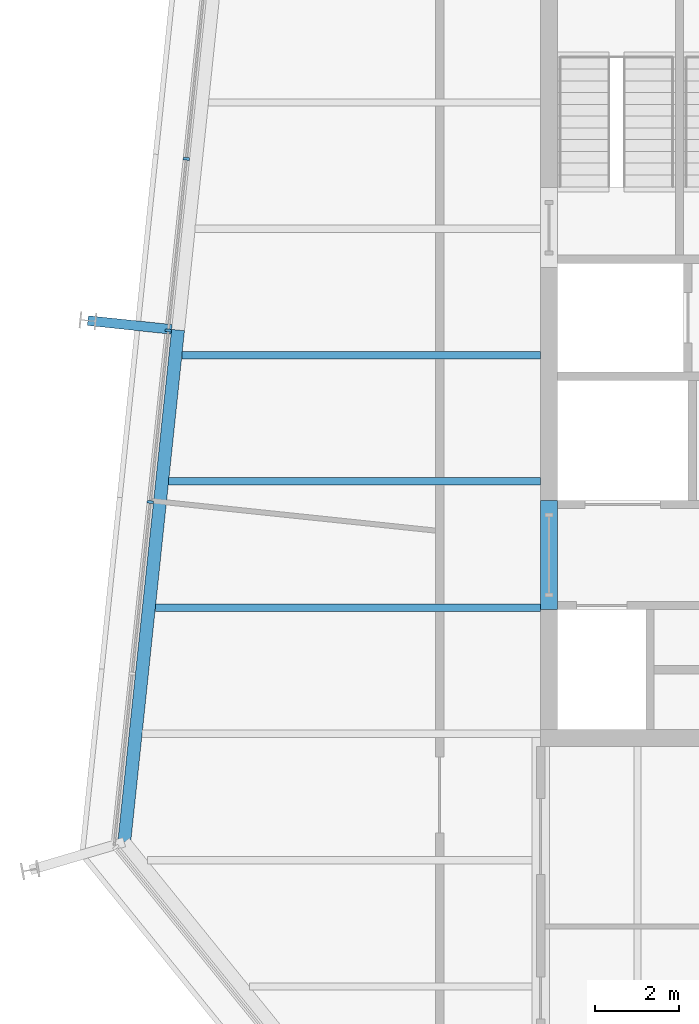
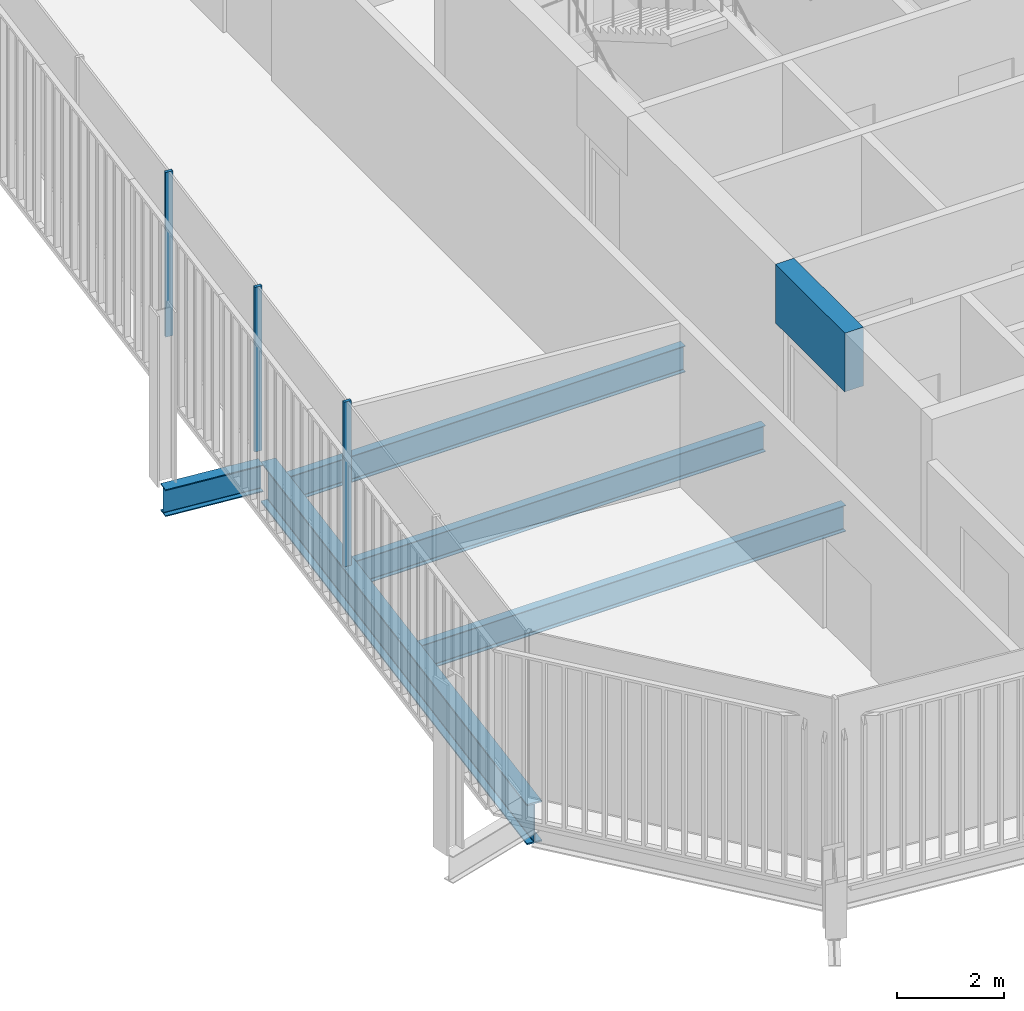
# One storey, part 6 of 20: 6 beams, 3 members, 1 element without a shape of its own.
"""IFC4 building model written with IfcOpenShell, lengths in metres."""

import ifcopenshell
import ifcopenshell.guid

model = None  # the IFC model being written
_history = None  # IfcOwnerHistory: only IFC2X3 demands one
_inside = {}  # id of a spatial element -> (the spatial element, [elements in it])
_under = {}  # id of a project, library or spatial element -> (it, [spatial elements below it])
_declared = {}  # id of a project -> (the project, [libraries it declares])
_typed = {}  # id of a type object -> (the type object, [elements of that type])
_made_of = {}  # id of a material, layer set ... -> (it, [elements and type objects made of it])


def new_model(schema):
    """Start an empty IFC model of exactly this schema.

    Asked for "IFC4X3", IfcOpenShell would pick the latest addendum, in which some entities
    have other attributes; the version numbers below select the first issue.
    IFC2X3 requires an IfcOwnerHistory on every rooted entity: one is made here for all.
    """
    global model, _history
    if schema == "IFC4X3":
        model = ifcopenshell.file(schema_version=(4, 3, 0, 0))
    else:
        model = ifcopenshell.file(schema=schema)
    _inside.clear()
    _under.clear()
    _declared.clear()
    _typed.clear()
    _made_of.clear()
    _history = None
    if model.schema == "IFC2X3":
        org = make("IfcOrganization", Name="unknown")
        user = make(
            "IfcPersonAndOrganization",
            ThePerson=make("IfcPerson", FamilyName="unknown"),
            TheOrganization=org,
        )
        app = make(
            "IfcApplication",
            ApplicationDeveloper=org,
            Version="unknown",
            ApplicationFullName="unknown",
            ApplicationIdentifier="unknown",
        )
        _history = make(
            "IfcOwnerHistory",
            OwningUser=user,
            OwningApplication=app,
            ChangeAction="ADDED",
            CreationDate=0,
        )
    return model


def make(cls, **values):
    """One entity of the class cls with the attributes given. An attribute that is None is left unset."""
    return model.create_entity(
        cls, **{name: value for name, value in values.items() if value is not None}
    )


def rooted(cls, **values):
    """An entity with a GlobalId (a new one), such as an element, a storey or a relation."""
    return make(cls, GlobalId=ifcopenshell.guid.new(), OwnerHistory=_history, **values)


def si_unit(unit_type, name, prefix=None):
    """IfcSIUnit, for example si_unit("LENGTHUNIT", "METRE", prefix="MILLI")."""
    return make("IfcSIUnit", UnitType=unit_type, Prefix=prefix, Name=name)


def assignment(units):
    """IfcUnitAssignment: the units of a project."""
    return None if units is None else make("IfcUnitAssignment", Units=units)


def point(xyz):
    """IfcCartesianPoint."""
    return None if xyz is None else make("IfcCartesianPoint", Coordinates=xyz)


def direction(xyz):
    """IfcDirection."""
    return None if xyz is None else make("IfcDirection", DirectionRatios=xyz)


def frame(location, z_axis=None, x_axis=None):
    """IfcAxis2Placement3D, a coordinate frame: its origin and axes. An axis left out is left unset."""
    return make(
        "IfcAxis2Placement3D",
        Location=point(location),
        Axis=direction(z_axis),
        RefDirection=direction(x_axis),
    )


def frame_2d(location, x_axis=None):
    """IfcAxis2Placement2D, a coordinate frame in the plane: its origin and x axis."""
    return make(
        "IfcAxis2Placement2D", Location=point(location), RefDirection=direction(x_axis)
    )


def origin():
    """The frame at (0, 0, 0) with its axes left unset."""
    return frame((0.0, 0.0, 0.0))


def origin_2d():
    """The frame at (0, 0) in the plane with its x axis left unset."""
    return frame_2d((0.0, 0.0))


def place(relative_to, where):
    """IfcLocalPlacement: puts the frame where relative to a parent placement (None: the world)."""
    return make(
        "IfcLocalPlacement", PlacementRelTo=relative_to, RelativePlacement=where
    )


def context(
    kind, dimensions, precision=None, world=None, true_north=None, identifier=None
):
    """IfcGeometricRepresentationContext, for example the 3D "Model" context."""
    return make(
        "IfcGeometricRepresentationContext",
        ContextIdentifier=identifier,
        ContextType=kind,
        CoordinateSpaceDimension=dimensions,
        Precision=precision,
        WorldCoordinateSystem=world,
        TrueNorth=true_north,
    )


def subcontext(parent, identifier, kind, view, scale=None):
    """IfcGeometricRepresentationSubContext, for example "Body" below "Model"."""
    return make(
        "IfcGeometricRepresentationSubContext",
        ContextIdentifier=identifier,
        ContextType=kind,
        ParentContext=parent,
        TargetScale=scale,
        TargetView=view,
    )


def project(units=None, contexts=None):
    """IfcProject with its units and contexts."""
    return rooted(
        "IfcProject",
        Name="project",
        RepresentationContexts=contexts,
        UnitsInContext=assignment(units),
    )


def spatial(cls, under=None, at=None, **own):
    """A site, building, storey or space (cls), placed at a placement, below another one or the project."""
    s = rooted(cls, ObjectPlacement=at, **own)
    if under is not None:
        _under.setdefault(under.id(), (under, []))[1].append(s)
    return s


def profile(cls, at=None, kind="AREA", **sizes):
    """A parametric profile (cls). Its sizes go by their IFC names, for example OverallWidth=200.0."""
    return make(cls, ProfileType=kind, Position=at, **sizes)


def rectangle(**sizes):
    """IfcRectangleProfileDef."""
    return profile("IfcRectangleProfileDef", **sizes)


def i_section(**sizes):
    """IfcIShapeProfileDef."""
    return profile("IfcIShapeProfileDef", **sizes)


def extrude(swept, where, along, depth):
    """IfcExtrudedAreaSolid: the profile swept, set in the frame where, extruded along a direction by depth."""
    return make(
        "IfcExtrudedAreaSolid",
        SweptArea=swept,
        Position=where,
        ExtrudedDirection=direction(along),
        Depth=depth,
    )


def shape(context_of_items, identifier, shape_type, items):
    """IfcShapeRepresentation: the items that make up one representation, for example the "Body"."""
    return make(
        "IfcShapeRepresentation",
        ContextOfItems=context_of_items,
        RepresentationIdentifier=identifier,
        RepresentationType=shape_type,
        Items=items,
    )


def material(Name=None, Category=None):
    """IfcMaterial."""
    return make("IfcMaterial", Name=Name, Category=Category)


def layer(
    of_material, thickness, ventilated=None, Name=None, Category=None, Priority=None
):
    """IfcMaterialLayer: one layer of a wall or slab, of a material (None: an air gap)."""
    return make(
        "IfcMaterialLayer",
        Material=of_material,
        LayerThickness=thickness,
        IsVentilated=ventilated,
        Name=Name,
        Category=Category,
        Priority=Priority,
    )


def layer_set(layers, Name=None):
    """IfcMaterialLayerSet."""
    return make("IfcMaterialLayerSet", MaterialLayers=layers, LayerSetName=Name)


def material_profile(
    of_material, cross_section, Name=None, Category=None, Priority=None
):
    """IfcMaterialProfile: a cross section and its material."""
    return make(
        "IfcMaterialProfile",
        Name=Name,
        Material=of_material,
        Profile=cross_section,
        Priority=Priority,
        Category=Category,
    )


def profile_set(profiles, Name=None, composite=None):
    """IfcMaterialProfileSet."""
    return make(
        "IfcMaterialProfileSet",
        Name=Name,
        MaterialProfiles=profiles,
        CompositeProfile=composite,
    )


def made_of(thing, what):
    """Note that an element or type object is made of a material, layer set ...; save() writes the relation."""
    if what is not None:
        _made_of.setdefault(what.id(), (what, []))[1].append(thing)
    return thing


def type_object(cls, material=None, **own):
    """A type object (cls), such as IfcWallType, which elements share."""
    return made_of(rooted(cls, **own), material)


def element(
    cls,
    number,
    at=None,
    inside=None,
    cuts=None,
    type_object=None,
    material=None,
    context=None,
    identifier="Body",
    shape_type=None,
    held_by="IfcProductDefinitionShape",
    body=None,
    shapes=None,
    **own,
):
    """One element of the class cls, such as IfcWall. Its Tag is "e" and its number.

    at: its placement. inside: the storey or other place that contains it. cuts: it is an
    opening in that element (IfcRelVoidsElement). A single representation is given by context,
    identifier, shape_type and body (its items); several are given by shapes. held_by: the class
    of the entity that holds the representations. save() writes the other relations.
    """
    e = rooted(cls, Tag="e%d" % number, ObjectPlacement=at, **own)
    if body is not None:
        shapes = [shape(context, identifier, shape_type, body)]
    if shapes is not None:
        e.Representation = make(held_by, Representations=shapes)
    if inside is not None:
        _inside.setdefault(inside.id(), (inside, []))[1].append(e)
    if cuts is not None:
        rooted(
            "IfcRelVoidsElement", RelatingBuildingElement=cuts, RelatedOpeningElement=e
        )
    if type_object is not None:
        _typed.setdefault(type_object.id(), (type_object, []))[1].append(e)
    return made_of(e, material)


def aggregate(whole, parts):
    """IfcRelAggregates: a whole, such as a stair, and the parts it consists of."""
    return rooted("IfcRelAggregates", RelatingObject=whole, RelatedObjects=parts)


def save(model, path):
    """Write the relations noted so far, then the file.

    IfcRelAggregates (storeys below a building ...), IfcRelContainedInSpatialStructure (elements
    in a storey), IfcRelDefinesByType, IfcRelAssociatesMaterial and IfcRelDeclares: one each for
    every whole, place, type object, material and project.
    """
    for whole, parts in _under.values():
        aggregate(whole, parts)
    for where, things in _inside.values():
        rooted(
            "IfcRelContainedInSpatialStructure",
            RelatedElements=things,
            RelatingStructure=where,
        )
    for kind, things in _typed.values():
        rooted("IfcRelDefinesByType", RelatedObjects=things, RelatingType=kind)
    for what, things in _made_of.values():
        rooted("IfcRelAssociatesMaterial", RelatedObjects=things, RelatingMaterial=what)
    for by, libraries in _declared.values():
        rooted("IfcRelDeclares", RelatingContext=by, RelatedDefinitions=libraries)
    model.write(path)


model = new_model("IFC4")

# Units and contexts
model_context = context("Model", 3, precision=1e-05, world=origin(), true_north=direction((0.0, 1.0)))
body_context = subcontext(model_context, "Body", "Model", "MODEL_VIEW")
ifc_project = project(units=[si_unit("LENGTHUNIT", "METRE"), si_unit("AREAUNIT", "SQUARE_METRE"), si_unit("VOLUMEUNIT", "CUBIC_METRE"), si_unit("PLANEANGLEUNIT", "RADIAN"), si_unit("MASSUNIT", "GRAM", prefix="KILO")], contexts=[model_context])

# Site, building, storey
site_placement = place(None, origin())
site = spatial("IfcSite", under=ifc_project, at=site_placement, CompositionType="ELEMENT")
building_placement = place(site_placement, origin())
building = spatial("IfcBuilding", under=site, at=building_placement, Name="Millrace Tower", CompositionType="ELEMENT")
storey_placement = place(building_placement, frame((0.0, 0.0, 303.300048828125)))
storey = spatial("IfcBuildingStorey", under=building, at=storey_placement, Name="L70", CompositionType="ELEMENT", Elevation=303.300048828125)

# Curtain wall, members
ifc_material_1 = material(Name="Aluminium and glass", Category="aluminium")
ifc_layer = layer(ifc_material_1, 0.14990234375)
ifc_layer_set = layer_set([ifc_layer], Name="Aluminium and glass")
curtain_wall_type = type_object("IfcCurtainWallType", Name="CW-1 office vision curtain wall", PredefinedType="NOTDEFINED", material=ifc_layer_set)
curtain_wall_placement = place(storey_placement, origin())
curtain_wall = element("IfcCurtainWall", 1, at=curtain_wall_placement, inside=storey, type_object=curtain_wall_type, Name="Curtain wall E-F08 L70", PredefinedType="NOTDEFINED")
ifc_material_2 = material(Name="Aluminium", Category="aluminium")
ifc_material_profile_1 = material_profile(ifc_material_2, rectangle(XDim=0.06494140625, YDim=0.14990234375, at=origin_2d()))
ifc_profile_set_1 = profile_set([ifc_material_profile_1], Name="Aluminium")
member_type = type_object("IfcMemberType", Name="CW-1 office vision curtain wall mullion", PredefinedType="MULLION", material=ifc_profile_set_1)
member_1_placement = place(storey_placement, frame((-22.717529296875, 4.664794921875, 0.139892578125), z_axis=(0.0, 0.0, 1.0), x_axis=(-0.104528455196, -0.994521896217, 0.0)))
member_1 = element("IfcMember", 2, at=member_1_placement, type_object=member_type, Name="CW1 mullion E-F08.6", PredefinedType="MULLION", context=body_context, shape_type="SweptSolid", body=[
    extrude(rectangle(XDim=0.06494140625, YDim=0.14990234375, at=origin_2d()), origin(), (0.0, 0.0, 1.0), 3.760009765625),
])
member_2_placement = place(storey_placement, frame((-23.146240234375, 0.587158203125, 0.139892578125), z_axis=(0.0, 0.0, 1.0), x_axis=(-0.104528455196, -0.994521896217, 0.0)))
member_2 = element("IfcMember", 3, at=member_2_placement, type_object=member_type, Name="CW1 mullion E-F08.7", PredefinedType="MULLION", context=body_context, shape_type="SweptSolid", body=[
    extrude(rectangle(XDim=0.06494140625, YDim=0.14990234375, at=origin_2d()), origin(), (0.0, 0.0, 1.0), 3.760009765625),
])
member_3_placement = place(storey_placement, frame((-23.57470703125, -3.490234375, 0.139892578125), z_axis=(0.0, 0.0, 1.0), x_axis=(-0.104528455196, -0.994521896217, 0.0)))
member_3 = element("IfcMember", 4, at=member_3_placement, type_object=member_type, Name="CW1 mullion E-F08.8", PredefinedType="MULLION", context=body_context, shape_type="SweptSolid", body=[
    extrude(rectangle(XDim=0.06494140625, YDim=0.14990234375, at=origin_2d()), origin(), (0.0, 0.0, 1.0), 3.760009765625),
])
aggregate(curtain_wall, [member_1, member_2, member_3])

# Beams
ifc_material_3 = material(Name="Concrete C60", Category="concrete")
ifc_material_profile_2 = material_profile(ifc_material_3, rectangle(XDim=0.39990234375, YDim=1.340087890625, at=origin_2d()))
ifc_profile_set_2 = profile_set([ifc_material_profile_2], Name="Concrete C60")
beam_type_1 = type_object("IfcBeamType", Name="Coupling beam 400 x 1340 Concrete C60, 2000 opening", PredefinedType="BEAM", material=ifc_profile_set_2)
beam_1_placement = place(storey_placement, frame((-14.10009765625, -6.050048828125, 3.070068359375), z_axis=(0.0, 1.0, 0.0), x_axis=(-1.0, 0.0, 0.0)))
element("IfcBeam", 5, at=beam_1_placement, inside=storey, type_object=beam_type_1, Name="Coupling beam W L70", PredefinedType="BEAM", context=body_context, shape_type="SweptSolid", body=[
    extrude(rectangle(XDim=0.39990234375, YDim=1.340087890625, at=origin_2d()), origin(), (0.0, 0.0, 1.0), 2.60009765625),
])
ifc_material_4 = material(Name="Steel ASTM A992 Grade 50", Category="steel")
ifc_material_profile_3 = material_profile(ifc_material_4, i_section(OverallWidth=0.177978515625, OverallDepth=0.599365234375, WebThickness=0.010009765625, FlangeThickness=0.012939453125, FilletRadius=0.012939453125, at=origin_2d()))
ifc_profile_set_3 = profile_set([ifc_material_profile_3], Name="Steel ASTM A992 Grade 50")
beam_type_2 = type_object("IfcBeamType", Name="Floor beam W24x55", PredefinedType="JOIST", material=ifc_profile_set_3)
beam_2_placement = place(storey_placement, frame((-23.4541015625, -6.0, -0.459716796875), z_axis=(1.0, 0.0, 0.0), x_axis=(0.0, 1.0, 0.0)))
element("IfcBeam", 6, at=beam_2_placement, inside=storey, type_object=beam_type_2, Name="BM-E-L70-S1-S009", PredefinedType="JOIST", context=body_context, shape_type="SweptSolid", body=[
    extrude(i_section(OverallWidth=0.177978515625, OverallDepth=0.599365234375, WebThickness=0.010009765625, FlangeThickness=0.012939453125, FilletRadius=0.012939453125, at=origin_2d()), origin(), (0.0, 0.0, 1.0), 9.154052734375),
])
beam_3_placement = place(storey_placement, frame((-23.138916015625, -3.0, -0.459716796875), z_axis=(1.0, 0.0, 0.0), x_axis=(0.0, 1.0, 0.0)))
element("IfcBeam", 7, at=beam_3_placement, inside=storey, type_object=beam_type_2, Name="BM-E-L70-S1-S012", PredefinedType="JOIST", context=body_context, shape_type="SweptSolid", body=[
    extrude(i_section(OverallWidth=0.177978515625, OverallDepth=0.599365234375, WebThickness=0.010009765625, FlangeThickness=0.012939453125, FilletRadius=0.012939453125, at=origin_2d()), origin(), (0.0, 0.0, 1.0), 8.8388671875),
])
beam_4_placement = place(storey_placement, frame((-22.823486328125, 0.0, -0.459716796875), z_axis=(1.0, 0.0, 0.0), x_axis=(0.0, 1.0, 0.0)))
element("IfcBeam", 8, at=beam_4_placement, inside=storey, type_object=beam_type_2, Name="BM-E-L70-S1-S015", PredefinedType="JOIST", context=body_context, shape_type="SweptSolid", body=[
    extrude(i_section(OverallWidth=0.177978515625, OverallDepth=0.599365234375, WebThickness=0.010009765625, FlangeThickness=0.012939453125, FilletRadius=0.012939453125, at=origin_2d()), origin(), (0.0, 0.0, 1.0), 8.5234375),
])
ifc_material_5 = material(Name="Steel ASTM A992 Grade 50", Category="steel")
ifc_material_profile_4 = material_profile(ifc_material_5, i_section(OverallWidth=0.23046875, OverallDepth=0.6171875, WebThickness=0.01318359375, FlangeThickness=0.022216796875, FilletRadius=0.012939453125, at=origin_2d()))
ifc_profile_set_4 = profile_set([ifc_material_profile_4], Name="Steel ASTM A992 Grade 50")
beam_type_3 = type_object("IfcBeamType", Name="Link beam W24x94", PredefinedType="BEAM", material=ifc_profile_set_4)
beam_5_placement = place(storey_placement, frame((-23.068115234375, 0.61181640625, -0.46875), z_axis=(-0.994526834051, 0.104481464157, 0.0), x_axis=(-0.104481464157, -0.994526834051, 0.0)))
element("IfcBeam", 9, at=beam_5_placement, inside=storey, type_object=beam_type_3, Name="LNK-E-L70-S1-02", PredefinedType="BEAM", context=body_context, shape_type="SweptSolid", body=[
    extrude(i_section(OverallWidth=0.23046875, OverallDepth=0.6171875, WebThickness=0.01318359375, FlangeThickness=0.022216796875, FilletRadius=0.012939453125, at=origin_2d()), origin(), (0.0, 0.0, 1.0), 2.000244140625),
])
ifc_material_6 = material(Name="Steel ASTM A992 Grade 50", Category="steel")
ifc_material_profile_5 = material_profile(ifc_material_6, i_section(OverallWidth=0.307373046875, OverallDepth=0.927001953125, WebThickness=0.01953125, FlangeThickness=0.031982421875, FilletRadius=0.01904296875, at=origin_2d()))
ifc_profile_set_5 = profile_set([ifc_material_profile_5], Name="Steel ASTM A992 Grade 50")
beam_type_4 = type_object("IfcBeamType", Name="Ring beam medium span W36x194", PredefinedType="SPANDREL", material=ifc_profile_set_5)
beam_6_placement = place(storey_placement, frame((-24.1943359375, -11.57373046875, -0.62353515625), z_axis=(0.104527955888, 0.994521948696, 0.0), x_axis=(-0.994521948696, 0.104527955888, 0.0)))
element("IfcBeam", 10, at=beam_6_placement, inside=storey, type_object=beam_type_4, Name="RNG-E-L70-S1-01", PredefinedType="SPANDREL", context=body_context, shape_type="SweptSolid", body=[
    extrude(i_section(OverallWidth=0.307373046875, OverallDepth=0.927001953125, WebThickness=0.01953125, FlangeThickness=0.031982421875, FilletRadius=0.01904296875, at=origin_2d()), origin(), (0.0, 0.0, 1.0), 12.236572265625),
])

save(model, "model.ifc")
